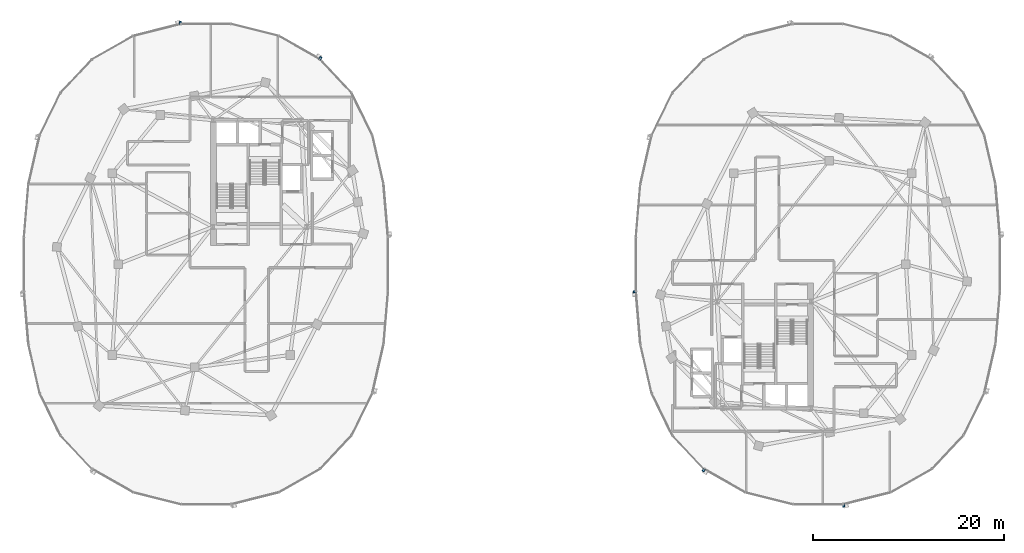
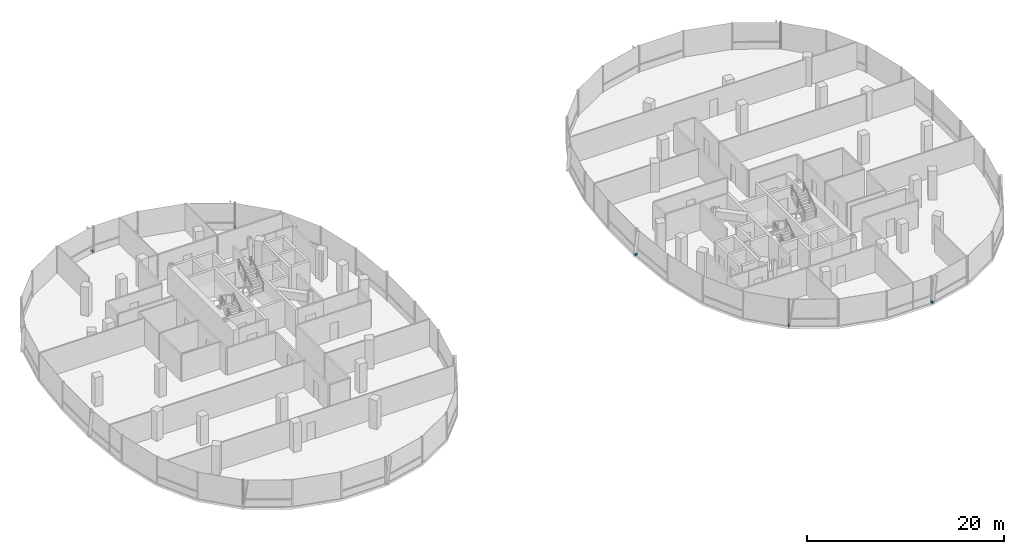
# One storey, part 19 of 25: 5 discrete accessories.
"""IFC4 building model written with IfcOpenShell, lengths in metres."""

from ifc_helpers import new_model, si_unit, direction, frame, origin, origin_2d, place, context, subcontext, project, spatial, rectangle, extrude, material, type_object, element, save


model = new_model("IFC4")

# Units and contexts
model_context = context("Model", 3, precision=1e-05, world=origin(), true_north=direction((0.0, 1.0)))
body_context = subcontext(model_context, "Body", "Model", "MODEL_VIEW")
ifc_project = project(units=[si_unit("LENGTHUNIT", "METRE"), si_unit("AREAUNIT", "SQUARE_METRE"), si_unit("VOLUMEUNIT", "CUBIC_METRE"), si_unit("PLANEANGLEUNIT", "RADIAN"), si_unit("MASSUNIT", "GRAM", prefix="KILO"), si_unit("THERMODYNAMICTEMPERATUREUNIT", "KELVIN"), si_unit("POWERUNIT", "WATT")], contexts=[model_context])

# Site, building, storey
site_placement = place(None, origin())
site = spatial("IfcSite", under=ifc_project, at=site_placement, CompositionType="ELEMENT")
building_placement = place(site_placement, origin())
building = spatial("IfcBuilding", under=site, at=building_placement, Name="Cundina Bronze Exchange", CompositionType="ELEMENT")
storey_placement = place(building_placement, frame((0.0, 0.0, 220.60009765625)))
storey = spatial("IfcBuildingStorey", under=building, at=storey_placement, Name="L58", CompositionType="ELEMENT", Elevation=220.60009765625)

# Discrete accessories
ifc_material = material(Name="Anodised Bronze Aluminium 6063-T6", Category="aluminium")
discrete_accessory_type = type_object("IfcDiscreteAccessoryType", Name="ACC-BRK-FIN", PredefinedType="BRACKET", material=ifc_material)
for number, where, z_axis, x_axis, name in (
    (1, (-20.038818359375, 21.539794921875, 0.10009765625), (0.0, 0.0, 1.0), (-0.869572506985, 0.493805280547, 0.0), "L58 Fin Support Bracket 5"),
    (2, (-34.678955078125, 25.23779296875, 0.10009765625), (0.0, 0.0, 1.0), (-0.969731542251, -0.244173577528, 0.0), "L58 Fin Support Bracket 1"),
    (3, (12.84521484375, -2.893798828125, 0.10009765625), (0.0, 0.0, 1.0), (0.083747411454, -0.996487015006, 0.0), "L58 Fin Support Bracket 1"),
    (4, (20.038818359375, -21.539794921875, 0.10009765625), (0.0, 0.0, 1.0), (0.869572506985, -0.493805280547, 0.0), "L58 Fin Support Bracket 5"),
    (5, (34.678955078125, -25.23779296875, 0.10009765625), (0.0, 0.0, 1.0), (0.969731542251, 0.244173577528, 0.0), "L58 Fin Support Bracket 1"),
):
    element("IfcDiscreteAccessory", number, at=place(storey_placement, frame(where, z_axis=z_axis, x_axis=x_axis)), inside=storey, type_object=discrete_accessory_type, Name=name, PredefinedType="BRACKET", context=body_context, shape_type="SweptSolid", body=[
        extrude(rectangle(XDim=0.219970703125, YDim=0.320068359375, at=origin_2d()), origin(), (0.0, 0.0, 1.0), 0.239990234375),
    ])

save(model, "model.ifc")
